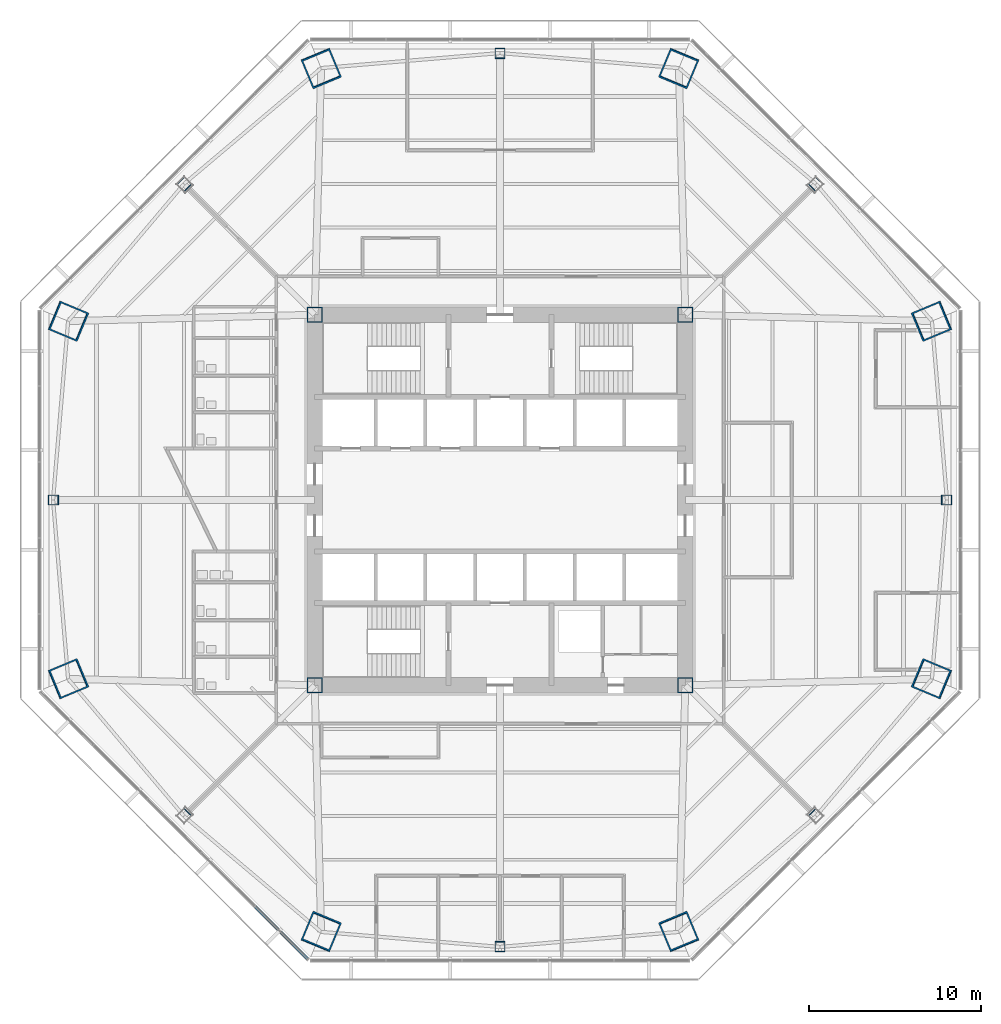
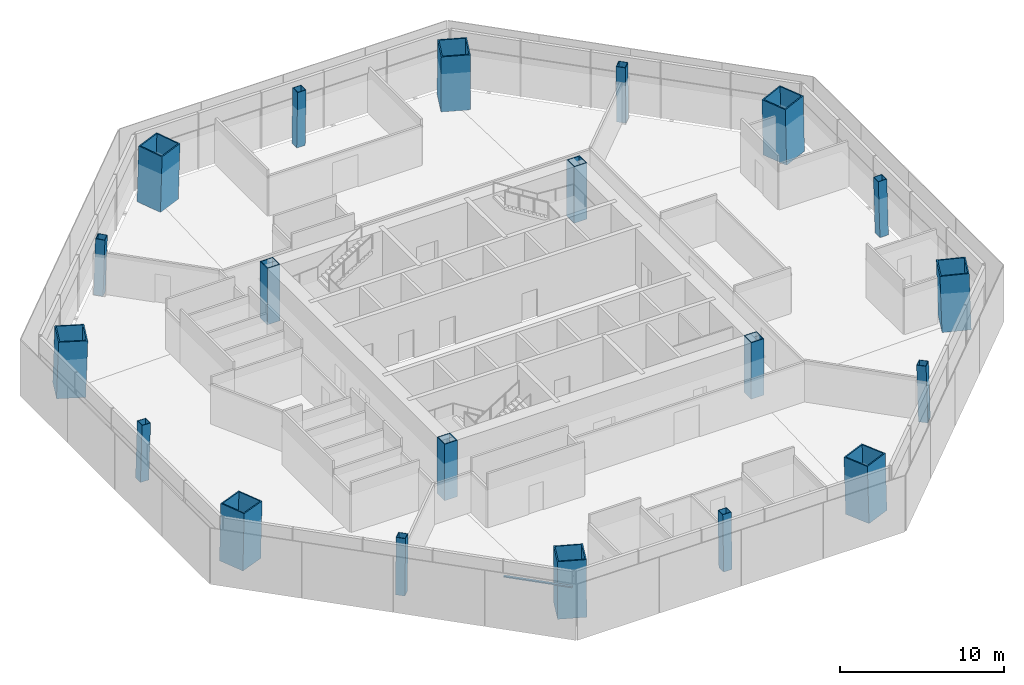
# One storey, part 1 of 14: 20 columns, 1 member, 1 element without a shape of its own.
"""IFC4 building model written with IfcOpenShell, lengths in metres."""

from ifc_helpers import new_model, si_unit, direction, frame, origin, origin_2d, place, context, subcontext, project, spatial, rectangle, hollow_rectangle, extrude, source, transform, mapped, material, material_profile, profile_set, type_object, type_shapes, element, aggregate, save


model = new_model("IFC4")

# Units and contexts
model_context = context("Model", 3, precision=1e-05, world=origin(), true_north=direction((0.0, 1.0)))
body_context = subcontext(model_context, "Body", "Model", "MODEL_VIEW")
ifc_project = project(units=[si_unit("LENGTHUNIT", "METRE"), si_unit("AREAUNIT", "SQUARE_METRE"), si_unit("VOLUMEUNIT", "CUBIC_METRE"), si_unit("PLANEANGLEUNIT", "RADIAN"), si_unit("MASSUNIT", "GRAM", prefix="KILO")], contexts=[model_context])

# Site, building, storey
site_placement = place(None, origin())
site = spatial("IfcSite", under=ifc_project, at=site_placement, CompositionType="ELEMENT")
building_placement = place(site_placement, origin())
building = spatial("IfcBuilding", under=site, at=building_placement, Name="Mashrafa Tower", CompositionType="ELEMENT")
storey_placement = place(building_placement, frame((0.0, 0.0, 41.39990234375)))
storey = spatial("IfcBuildingStorey", under=building, at=storey_placement, Name="L08", CompositionType="ELEMENT", Elevation=41.39990234375)

# Columns
ifc_material_1 = material(Name="Steel ASTM A572 Gr 50", Category="steel")
ifc_material_profile_1 = material_profile(ifc_material_1, hollow_rectangle(XDim=0.89990234375, YDim=0.89990234375, WallThickness=0.06005859375, at=origin_2d()), Name="BOX900X900X60")
ifc_profile_set_1 = profile_set([ifc_material_profile_1], Name="Steel ASTM A572 Gr 50")
column_type_1 = type_object("IfcColumnType", Name="Core corner column BOX900X900X60", PredefinedType="COLUMN", material=ifc_profile_set_1)
for number, where, z_axis, x_axis, name in (
    (1, (10.800048828125, 10.800048828125, 0.0), (0.0, 0.0, 1.0), (1.0, 0.0, 0.0), "Core corner column CC-NE L08"),
    (2, (-10.800048828125, 10.800048828125, 0.0), (0.0, 0.0, 1.0), (1.0, 0.0, 0.0), "Core corner column CC-NW L08"),
    (3, (-10.800048828125, -10.800048828125, 0.0), (0.0, 0.0, 1.0), (1.0, 0.0, 0.0), "Core corner column CC-SW L08"),
    (4, (10.800048828125, -10.800048828125, 0.0), (0.0, 0.0, 1.0), (1.0, 0.0, 0.0), "Core corner column CC-SE L08"),
):
    element("IfcColumn", number, at=place(storey_placement, frame(where, z_axis=z_axis, x_axis=x_axis)), inside=storey, type_object=column_type_1, Name=name, PredefinedType="COLUMN", context=body_context, shape_type="SweptSolid", body=[
        extrude(hollow_rectangle(XDim=0.89990234375, YDim=0.89990234375, WallThickness=0.06005859375, at=origin_2d()), origin(), (0.0, 0.0, 1.0), 4.2001953125),
    ])
ifc_material_2 = material(Name="Steel ASTM A572 Gr 50", Category="steel")
ifc_material_profile_2 = material_profile(ifc_material_2, hollow_rectangle(XDim=1.800048828125, YDim=1.800048828125, WallThickness=0.0849609375, at=origin_2d()), Name="BOX1800X1800X85")
ifc_profile_set_2 = profile_set([ifc_material_profile_2], Name="Steel ASTM A572 Gr 50")
column_type_2 = type_object("IfcColumnType", Name="Mega column CFST BOX1800X1800X85", PredefinedType="COLUMN", material=ifc_profile_set_2)
for number, where, z_axis, x_axis, name in (
    (5, (25.165283203125, 10.423828125, 0.0), (-0.028236034659, -0.011735965023, 0.999532387405), (0.38380575713, -0.923413851312, 0.0), "Mega column MC1 L08"),
    (6, (10.423828125, 25.165283203125, 0.0), (-0.011735965023, -0.028236034659, 0.999532387405), (0.923413851312, -0.38380575713, 0.0), "Mega column MC2 L08"),
    (7, (-10.423828125, 25.165283203125, 0.0), (0.011735965023, -0.028236034659, 0.999532387405), (0.923413851312, 0.38380575713, 0.0), "Mega column MC3 L08"),
    (8, (-25.165283203125, 10.423828125, 0.0), (0.028236034659, -0.011735965023, 0.999532387405), (0.38380575713, 0.923413851312, 0.0), "Mega column MC4 L08"),
    (9, (-25.165283203125, -10.423828125, 0.0), (0.028236034659, 0.011735965023, 0.999532387405), (-0.38380575713, 0.923413851312, 0.0), "Mega column MC5 L08"),
    (10, (-10.423828125, -25.165283203125, 0.0), (0.011735965023, 0.028236034659, 0.999532387405), (-0.923413851312, 0.38380575713, 0.0), "Mega column MC6 L08"),
    (11, (10.423828125, -25.165283203125, 0.0), (-0.011735965023, 0.028236034659, 0.999532387405), (-0.923413851312, -0.38380575713, 0.0), "Mega column MC7 L08"),
    (12, (25.165283203125, -10.423828125, 0.0), (-0.028236034659, 0.011735965023, 0.999532387405), (-0.38380575713, -0.923413851312, 0.0), "Mega column MC8 L08"),
):
    element("IfcColumn", number, at=place(storey_placement, frame(where, z_axis=z_axis, x_axis=x_axis)), inside=storey, type_object=column_type_2, Name=name, PredefinedType="COLUMN", context=body_context, shape_type="SweptSolid", body=[
        extrude(hollow_rectangle(XDim=1.800048828125, YDim=1.800048828125, WallThickness=0.0849609375, at=origin_2d()), origin(), (0.0, 0.0, 1.0), 4.2021484375),
    ])
ifc_material_3 = material(Name="Steel ASTM A572 Gr 50", Category="steel")
ifc_material_profile_3 = material_profile(ifc_material_3, hollow_rectangle(XDim=0.60009765625, YDim=0.60009765625, WallThickness=0.031982421875, at=origin_2d()), Name="BOX600X600X32")
ifc_profile_set_3 = profile_set([ifc_material_profile_3], Name="Steel ASTM A572 Gr 50")
column_type_3 = type_object("IfcColumnType", Name="Secondary column BOX600X600X32", PredefinedType="COLUMN", material=ifc_profile_set_3)
for number, where, z_axis, x_axis, name in (
    (13, (26.04345703125, 0.0, 0.0), (-0.028237979375, 0.0, 0.999601228751), (0.0, -1.0, 0.0), "Secondary column SC1 L08"),
    (14, (18.41552734375, 18.41552734375, 0.0), (-0.019987360289, -0.019987360289, 0.999600425599), (0.707106781187, -0.707106781187, 0.0), "Secondary column SC2 L08"),
    (15, (0.0, 26.04345703125, 0.0), (0.0, -0.028237979375, 0.999601228751), (1.0, 0.0, 0.0), "Secondary column SC3 L08"),
    (16, (-18.41552734375, 18.41552734375, 0.0), (0.019987360289, -0.019987360289, 0.999600425599), (0.707106781187, 0.707106781187, 0.0), "Secondary column SC4 L08"),
    (17, (-26.04345703125, 0.0, 0.0), (0.028237979375, 0.0, 0.999601228751), (0.0, 1.0, 0.0), "Secondary column SC5 L08"),
    (18, (-18.41552734375, -18.41552734375, 0.0), (0.019987360289, 0.019987360289, 0.999600425599), (-0.707106781187, 0.707106781187, 0.0), "Secondary column SC6 L08"),
    (19, (0.0, -26.04345703125, 0.0), (0.0, 0.028237979375, 0.999601228751), (-1.0, 0.0, 0.0), "Secondary column SC7 L08"),
    (20, (18.41552734375, -18.41552734375, 0.0), (-0.019987360289, 0.019987360289, 0.999600425599), (-0.707106781187, -0.707106781187, 0.0), "Secondary column SC8 L08"),
):
    element("IfcColumn", number, at=place(storey_placement, frame(where, z_axis=z_axis, x_axis=x_axis)), inside=storey, type_object=column_type_3, Name=name, PredefinedType="COLUMN", context=body_context, shape_type="SweptSolid", body=[
        extrude(hollow_rectangle(XDim=0.60009765625, YDim=0.60009765625, WallThickness=0.031982421875, at=origin_2d()), origin(), (0.0, 0.0, 1.0), 4.201904296875),
    ])

# Curtain wall, member
ifc_material_4 = material(Name="Unitised aluminium curtain wall", Category="aluminium")
curtain_wall_type = type_object("IfcCurtainWallType", Name="Office curtain wall, zone 1 CW-A 200 deep", PredefinedType="NOTDEFINED", material=ifc_material_4)
curtain_wall_placement = place(storey_placement, origin())
curtain_wall = element("IfcCurtainWall", 21, at=curtain_wall_placement, inside=storey, type_object=curtain_wall_type, Name="Office curtain wall, zone 1 L08 south-west", PredefinedType="NOTDEFINED")
ifc_material_5 = material(Name="Extruded aluminium transom", Category="aluminium")
ifc_material_profile_4 = material_profile(ifc_material_5, rectangle(XDim=0.159912109375, YDim=0.080078125, at=origin_2d()), Name="Transom 80x160")
ifc_profile_set_4 = profile_set([ifc_material_profile_4], Name="Extruded aluminium transom")
member_type = type_object("IfcMemberType", Name="Transom CW-A 80 x 160", PredefinedType="MULLION", material=ifc_profile_set_4)
shared_shape = source(origin(), body_context, "Body", "SweptSolid", [
    extrude(rectangle(XDim=0.159912109375, YDim=0.080078125, at=origin_2d()), origin(), (0.0, 0.0, 1.0), 4.32958984375),
])
type_shapes(member_type, [shared_shape])
member_placement = place(storey_placement, frame((-14.2626953125, -23.69970703125, 3.0), z_axis=(0.707106781187, -0.707106781187, 0.0), x_axis=(0.707106781187, 0.707106781187, 0.0)))
member = element("IfcMember", 22, at=member_placement, type_object=member_type, Name="CW-A transom 5", PredefinedType="MULLION", context=body_context, shape_type="MappedRepresentation", body=[
    mapped(shared_shape, transform((0.0, 0.0, 0.0))),
])
aggregate(curtain_wall, [member])

save(model, "model.ifc")
